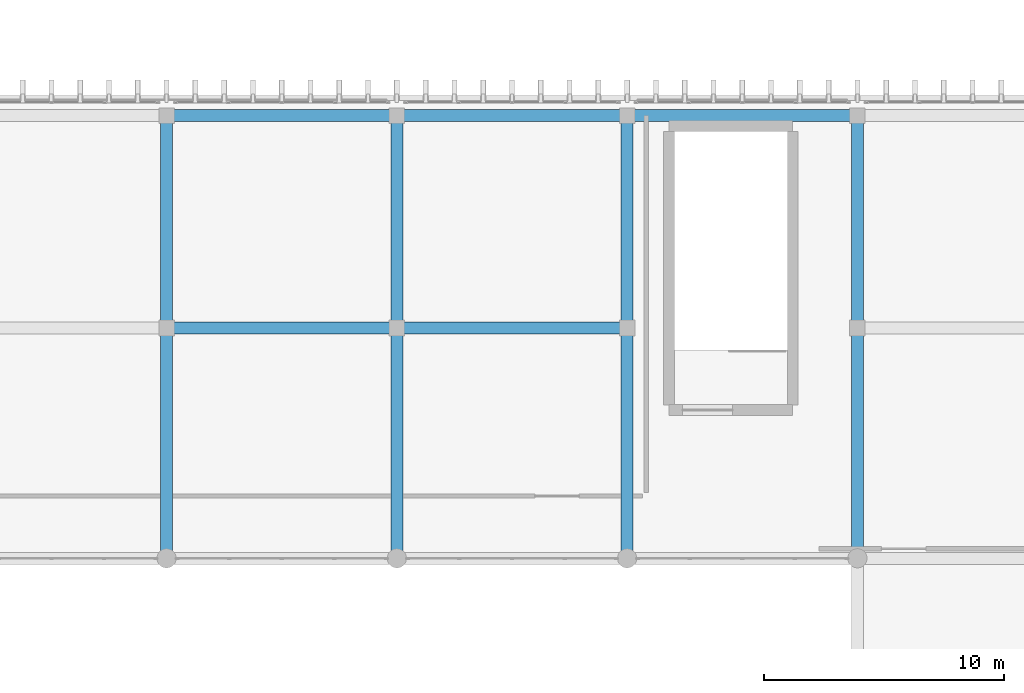
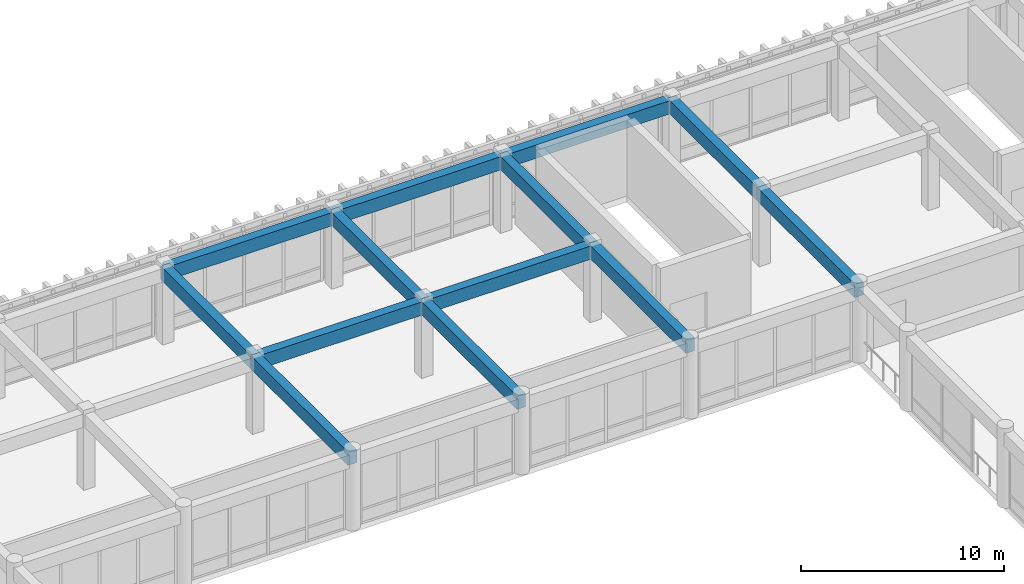
# One storey, part 26 of 101: 13 beams.
"""IFC4 building model written with IfcOpenShell, lengths in metres."""

from ifc_helpers import new_model, si_unit, direction, frame, origin, origin_2d, place, context, subcontext, project, spatial, rectangle, extrude, material, material_profile, profile_set, type_object, element, save


model = new_model("IFC4")

# Units and contexts
model_context = context("Model", 3, precision=1e-05, world=origin(), true_north=direction((0.0, 1.0)))
body_context = subcontext(model_context, "Body", "Model", "MODEL_VIEW")
ifc_project = project(units=[si_unit("LENGTHUNIT", "METRE"), si_unit("AREAUNIT", "SQUARE_METRE"), si_unit("VOLUMEUNIT", "CUBIC_METRE"), si_unit("PLANEANGLEUNIT", "RADIAN"), si_unit("MASSUNIT", "GRAM", prefix="KILO")], contexts=[model_context])

# Site, building, storey
site_placement = place(None, origin())
site = spatial("IfcSite", under=ifc_project, at=site_placement, CompositionType="ELEMENT")
building_placement = place(site_placement, origin())
building = spatial("IfcBuilding", under=site, at=building_placement, Name="Nakhvara Creek Congress Hotel", CompositionType="ELEMENT")
storey_placement = place(building_placement, frame((0.0, 0.0, 16.199951171875)))
storey = spatial("IfcBuildingStorey", under=building, at=storey_placement, Name="L03", CompositionType="ELEMENT", Elevation=16.199951171875)

# Beams
ifc_material = material(Name="Concrete C40/50", Category="concrete")
ifc_material_profile = material_profile(ifc_material, rectangle(XDim=0.5, YDim=0.800048828125, at=origin_2d()), Name="RC-BM 500x800", Category="LoadBearing")
ifc_profile_set = profile_set([ifc_material_profile], Name="Concrete C40/50")
beam_type = type_object("IfcBeamType", Name="BM-RC-500X800", PredefinedType="BEAM", material=ifc_profile_set)
beam_1_placement = place(storey_placement, frame((96.0, 76.800048828125, 4.14013671875), z_axis=(0.0, 1.0, 0.0), x_axis=(-1.0, 0.0, 0.0)))
element("IfcBeam", 1, at=beam_1_placement, inside=storey, type_object=beam_type, Name="Beam B03-L03-1732", PredefinedType="BEAM", context=body_context, shape_type="SweptSolid", body=[
    extrude(rectangle(XDim=0.5, YDim=0.800048828125, at=origin_2d()), origin(), (0.0, 0.0, 1.0), 9.599853515625),
])
beam_2_placement = place(storey_placement, frame((96.0, 86.39990234375, 4.14013671875), z_axis=(0.0, 1.0, 0.0), x_axis=(-1.0, 0.0, 0.0)))
element("IfcBeam", 2, at=beam_2_placement, inside=storey, type_object=beam_type, Name="Beam B03-L03-1734", PredefinedType="BEAM", context=body_context, shape_type="SweptSolid", body=[
    extrude(rectangle(XDim=0.5, YDim=0.800048828125, at=origin_2d()), origin(), (0.0, 0.0, 1.0), 8.85009765625),
])
for number, where, z_axis, x_axis, name in (
    (3, (96.0, 86.39990234375, 4.14013671875), (1.0, 0.0, 0.0), (0.0, 1.0, 0.0), "Beam B03-L03-1735"),
    (4, (96.0, 95.25, 4.14013671875), (1.0, 0.0, 0.0), (0.0, 1.0, 0.0), "Beam B03-L03-1736"),
):
    element("IfcBeam", number, at=place(storey_placement, frame(where, z_axis=z_axis, x_axis=x_axis)), inside=storey, type_object=beam_type, Name=name, PredefinedType="BEAM", context=body_context, shape_type="SweptSolid", body=[
        extrude(rectangle(XDim=0.5, YDim=0.800048828125, at=origin_2d()), origin(), (0.0, 0.0, 1.0), 9.60009765625),
    ])
beam_3_placement = place(storey_placement, frame((105.60009765625, 76.800048828125, 4.14013671875), z_axis=(0.0, 1.0, 0.0), x_axis=(-1.0, 0.0, 0.0)))
element("IfcBeam", 5, at=beam_3_placement, inside=storey, type_object=beam_type, Name="Beam B03-L03-1745", PredefinedType="BEAM", context=body_context, shape_type="SweptSolid", body=[
    extrude(rectangle(XDim=0.5, YDim=0.800048828125, at=origin_2d()), origin(), (0.0, 0.0, 1.0), 9.599853515625),
])
beam_4_placement = place(storey_placement, frame((105.60009765625, 86.39990234375, 4.14013671875), z_axis=(0.0, 1.0, 0.0), x_axis=(-1.0, 0.0, 0.0)))
element("IfcBeam", 6, at=beam_4_placement, inside=storey, type_object=beam_type, Name="Beam B03-L03-1747", PredefinedType="BEAM", context=body_context, shape_type="SweptSolid", body=[
    extrude(rectangle(XDim=0.5, YDim=0.800048828125, at=origin_2d()), origin(), (0.0, 0.0, 1.0), 8.85009765625),
])
for number, where, z_axis, x_axis, name in (
    (7, (105.60009765625, 86.39990234375, 4.14013671875), (1.0, 0.0, 0.0), (0.0, 1.0, 0.0), "Beam B03-L03-1748"),
    (8, (105.60009765625, 95.25, 4.14013671875), (1.0, 0.0, 0.0), (0.0, 1.0, 0.0), "Beam B03-L03-1749"),
    (9, (115.199951171875, 76.800048828125, 4.14013671875), (0.0, 1.0, 0.0), (-1.0, 0.0, 0.0), "Beam B03-L03-1760"),
):
    element("IfcBeam", number, at=place(storey_placement, frame(where, z_axis=z_axis, x_axis=x_axis)), inside=storey, type_object=beam_type, Name=name, PredefinedType="BEAM", context=body_context, shape_type="SweptSolid", body=[
        extrude(rectangle(XDim=0.5, YDim=0.800048828125, at=origin_2d()), origin(), (0.0, 0.0, 1.0), 9.599853515625),
    ])
beam_5_placement = place(storey_placement, frame((115.199951171875, 86.39990234375, 4.14013671875), z_axis=(0.0, 1.0, 0.0), x_axis=(-1.0, 0.0, 0.0)))
element("IfcBeam", 10, at=beam_5_placement, inside=storey, type_object=beam_type, Name="Beam B03-L03-1762", PredefinedType="BEAM", context=body_context, shape_type="SweptSolid", body=[
    extrude(rectangle(XDim=0.5, YDim=0.800048828125, at=origin_2d()), origin(), (0.0, 0.0, 1.0), 8.85009765625),
])
beam_6_placement = place(storey_placement, frame((115.199951171875, 95.25, 4.14013671875), z_axis=(1.0, 0.0, 0.0), x_axis=(0.0, 1.0, 0.0)))
element("IfcBeam", 11, at=beam_6_placement, inside=storey, type_object=beam_type, Name="Beam B03-L03-1763", PredefinedType="BEAM", context=body_context, shape_type="SweptSolid", body=[
    extrude(rectangle(XDim=0.5, YDim=0.800048828125, at=origin_2d()), origin(), (0.0, 0.0, 1.0), 9.60009765625),
])
beam_7_placement = place(storey_placement, frame((124.800048828125, 76.800048828125, 4.14013671875), z_axis=(0.0, 1.0, 0.0), x_axis=(-1.0, 0.0, 0.0)))
element("IfcBeam", 12, at=beam_7_placement, inside=storey, type_object=beam_type, Name="Beam B03-L03-1780", PredefinedType="BEAM", context=body_context, shape_type="SweptSolid", body=[
    extrude(rectangle(XDim=0.5, YDim=0.800048828125, at=origin_2d()), origin(), (0.0, 0.0, 1.0), 9.599853515625),
])
beam_8_placement = place(storey_placement, frame((124.800048828125, 86.39990234375, 4.14013671875), z_axis=(0.0, 1.0, 0.0), x_axis=(-1.0, 0.0, 0.0)))
element("IfcBeam", 13, at=beam_8_placement, inside=storey, type_object=beam_type, Name="Beam B03-L03-1782", PredefinedType="BEAM", context=body_context, shape_type="SweptSolid", body=[
    extrude(rectangle(XDim=0.5, YDim=0.800048828125, at=origin_2d()), origin(), (0.0, 0.0, 1.0), 8.85009765625),
])

save(model, "model.ifc")
